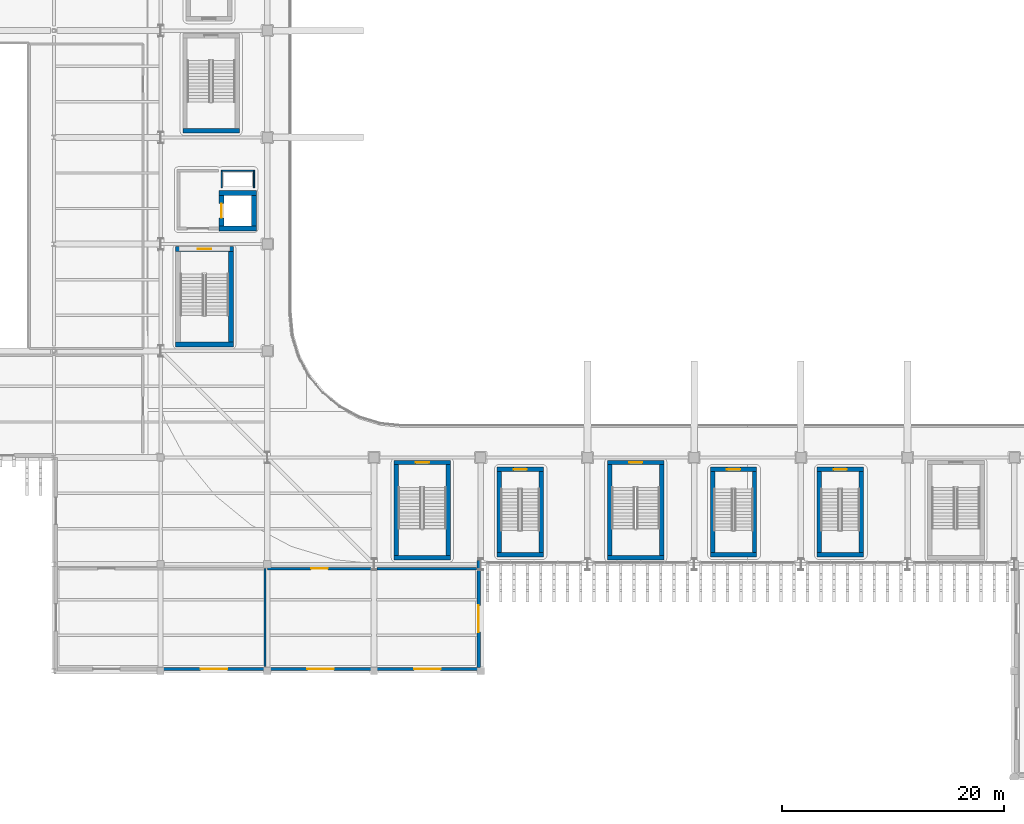
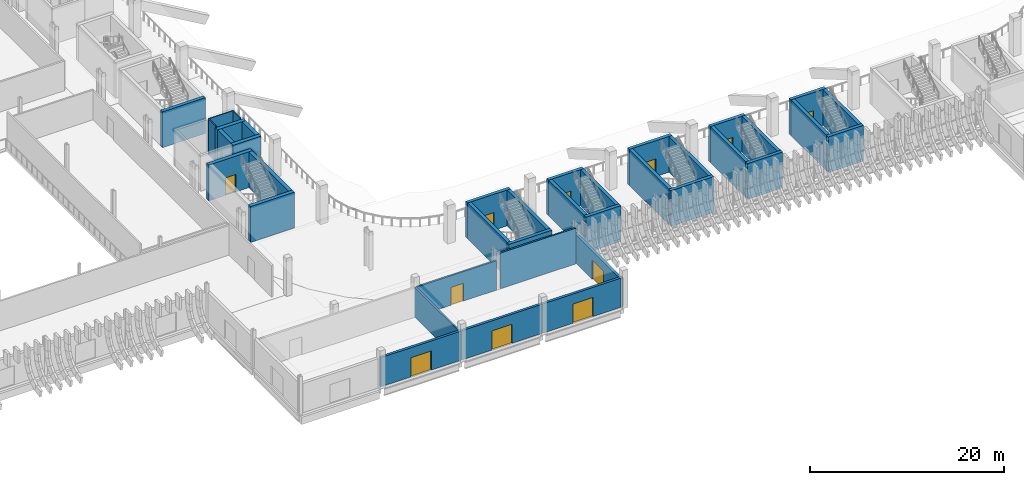
# One storey, part 50 of 100: 38 walls, 12 doors, 12 openings.
"""IFC4 building model written with IfcOpenShell, lengths in metres."""

import ifcopenshell
import ifcopenshell.guid

model = None  # the IFC model being written
_history = None  # IfcOwnerHistory: only IFC2X3 demands one
_inside = {}  # id of a spatial element -> (the spatial element, [elements in it])
_under = {}  # id of a project, library or spatial element -> (it, [spatial elements below it])
_declared = {}  # id of a project -> (the project, [libraries it declares])
_typed = {}  # id of a type object -> (the type object, [elements of that type])
_made_of = {}  # id of a material, layer set ... -> (it, [elements and type objects made of it])


def new_model(schema):
    """Start an empty IFC model of exactly this schema.

    Asked for "IFC4X3", IfcOpenShell would pick the latest addendum, in which some entities
    have other attributes; the version numbers below select the first issue.
    IFC2X3 requires an IfcOwnerHistory on every rooted entity: one is made here for all.
    """
    global model, _history
    if schema == "IFC4X3":
        model = ifcopenshell.file(schema_version=(4, 3, 0, 0))
    else:
        model = ifcopenshell.file(schema=schema)
    _inside.clear()
    _under.clear()
    _declared.clear()
    _typed.clear()
    _made_of.clear()
    _history = None
    if model.schema == "IFC2X3":
        org = make("IfcOrganization", Name="unknown")
        user = make(
            "IfcPersonAndOrganization",
            ThePerson=make("IfcPerson", FamilyName="unknown"),
            TheOrganization=org,
        )
        app = make(
            "IfcApplication",
            ApplicationDeveloper=org,
            Version="unknown",
            ApplicationFullName="unknown",
            ApplicationIdentifier="unknown",
        )
        _history = make(
            "IfcOwnerHistory",
            OwningUser=user,
            OwningApplication=app,
            ChangeAction="ADDED",
            CreationDate=0,
        )
    return model


def make(cls, **values):
    """One entity of the class cls with the attributes given. An attribute that is None is left unset."""
    return model.create_entity(
        cls, **{name: value for name, value in values.items() if value is not None}
    )


def rooted(cls, **values):
    """An entity with a GlobalId (a new one), such as an element, a storey or a relation."""
    return make(cls, GlobalId=ifcopenshell.guid.new(), OwnerHistory=_history, **values)


def si_unit(unit_type, name, prefix=None):
    """IfcSIUnit, for example si_unit("LENGTHUNIT", "METRE", prefix="MILLI")."""
    return make("IfcSIUnit", UnitType=unit_type, Prefix=prefix, Name=name)


def assignment(units):
    """IfcUnitAssignment: the units of a project."""
    return None if units is None else make("IfcUnitAssignment", Units=units)


def point(xyz):
    """IfcCartesianPoint."""
    return None if xyz is None else make("IfcCartesianPoint", Coordinates=xyz)


def direction(xyz):
    """IfcDirection."""
    return None if xyz is None else make("IfcDirection", DirectionRatios=xyz)


def frame(location, z_axis=None, x_axis=None):
    """IfcAxis2Placement3D, a coordinate frame: its origin and axes. An axis left out is left unset."""
    return make(
        "IfcAxis2Placement3D",
        Location=point(location),
        Axis=direction(z_axis),
        RefDirection=direction(x_axis),
    )


def frame_2d(location, x_axis=None):
    """IfcAxis2Placement2D, a coordinate frame in the plane: its origin and x axis."""
    return make(
        "IfcAxis2Placement2D", Location=point(location), RefDirection=direction(x_axis)
    )


def origin():
    """The frame at (0, 0, 0) with its axes left unset."""
    return frame((0.0, 0.0, 0.0))


def place(relative_to, where):
    """IfcLocalPlacement: puts the frame where relative to a parent placement (None: the world)."""
    return make(
        "IfcLocalPlacement", PlacementRelTo=relative_to, RelativePlacement=where
    )


def context(
    kind, dimensions, precision=None, world=None, true_north=None, identifier=None
):
    """IfcGeometricRepresentationContext, for example the 3D "Model" context."""
    return make(
        "IfcGeometricRepresentationContext",
        ContextIdentifier=identifier,
        ContextType=kind,
        CoordinateSpaceDimension=dimensions,
        Precision=precision,
        WorldCoordinateSystem=world,
        TrueNorth=true_north,
    )


def subcontext(parent, identifier, kind, view, scale=None):
    """IfcGeometricRepresentationSubContext, for example "Body" below "Model"."""
    return make(
        "IfcGeometricRepresentationSubContext",
        ContextIdentifier=identifier,
        ContextType=kind,
        ParentContext=parent,
        TargetScale=scale,
        TargetView=view,
    )


def project(units=None, contexts=None):
    """IfcProject with its units and contexts."""
    return rooted(
        "IfcProject",
        Name="project",
        RepresentationContexts=contexts,
        UnitsInContext=assignment(units),
    )


def spatial(cls, under=None, at=None, **own):
    """A site, building, storey or space (cls), placed at a placement, below another one or the project."""
    s = rooted(cls, ObjectPlacement=at, **own)
    if under is not None:
        _under.setdefault(under.id(), (under, []))[1].append(s)
    return s


def profile(cls, at=None, kind="AREA", **sizes):
    """A parametric profile (cls). Its sizes go by their IFC names, for example OverallWidth=200.0."""
    return make(cls, ProfileType=kind, Position=at, **sizes)


def rectangle(**sizes):
    """IfcRectangleProfileDef."""
    return profile("IfcRectangleProfileDef", **sizes)


def extrude(swept, where, along, depth):
    """IfcExtrudedAreaSolid: the profile swept, set in the frame where, extruded along a direction by depth."""
    return make(
        "IfcExtrudedAreaSolid",
        SweptArea=swept,
        Position=where,
        ExtrudedDirection=direction(along),
        Depth=depth,
    )


def shape(context_of_items, identifier, shape_type, items):
    """IfcShapeRepresentation: the items that make up one representation, for example the "Body"."""
    return make(
        "IfcShapeRepresentation",
        ContextOfItems=context_of_items,
        RepresentationIdentifier=identifier,
        RepresentationType=shape_type,
        Items=items,
    )


def material(Name=None, Category=None):
    """IfcMaterial."""
    return make("IfcMaterial", Name=Name, Category=Category)


def layer(
    of_material, thickness, ventilated=None, Name=None, Category=None, Priority=None
):
    """IfcMaterialLayer: one layer of a wall or slab, of a material (None: an air gap)."""
    return make(
        "IfcMaterialLayer",
        Material=of_material,
        LayerThickness=thickness,
        IsVentilated=ventilated,
        Name=Name,
        Category=Category,
        Priority=Priority,
    )


def layer_set(layers, Name=None):
    """IfcMaterialLayerSet."""
    return make("IfcMaterialLayerSet", MaterialLayers=layers, LayerSetName=Name)


def made_of(thing, what):
    """Note that an element or type object is made of a material, layer set ...; save() writes the relation."""
    if what is not None:
        _made_of.setdefault(what.id(), (what, []))[1].append(thing)
    return thing


def type_object(cls, material=None, **own):
    """A type object (cls), such as IfcWallType, which elements share."""
    return made_of(rooted(cls, **own), material)


def element(
    cls,
    number,
    at=None,
    inside=None,
    cuts=None,
    type_object=None,
    material=None,
    context=None,
    identifier="Body",
    shape_type=None,
    held_by="IfcProductDefinitionShape",
    body=None,
    shapes=None,
    **own,
):
    """One element of the class cls, such as IfcWall. Its Tag is "e" and its number.

    at: its placement. inside: the storey or other place that contains it. cuts: it is an
    opening in that element (IfcRelVoidsElement). A single representation is given by context,
    identifier, shape_type and body (its items); several are given by shapes. held_by: the class
    of the entity that holds the representations. save() writes the other relations.
    """
    e = rooted(cls, Tag="e%d" % number, ObjectPlacement=at, **own)
    if body is not None:
        shapes = [shape(context, identifier, shape_type, body)]
    if shapes is not None:
        e.Representation = make(held_by, Representations=shapes)
    if inside is not None:
        _inside.setdefault(inside.id(), (inside, []))[1].append(e)
    if cuts is not None:
        rooted(
            "IfcRelVoidsElement", RelatingBuildingElement=cuts, RelatedOpeningElement=e
        )
    if type_object is not None:
        _typed.setdefault(type_object.id(), (type_object, []))[1].append(e)
    return made_of(e, material)


def fill(opening, filler):
    """IfcRelFillsElement: the door or window that sits in an opening."""
    return rooted(
        "IfcRelFillsElement",
        RelatingOpeningElement=opening,
        RelatedBuildingElement=filler,
    )


def aggregate(whole, parts):
    """IfcRelAggregates: a whole, such as a stair, and the parts it consists of."""
    return rooted("IfcRelAggregates", RelatingObject=whole, RelatedObjects=parts)


def save(model, path):
    """Write the relations noted so far, then the file.

    IfcRelAggregates (storeys below a building ...), IfcRelContainedInSpatialStructure (elements
    in a storey), IfcRelDefinesByType, IfcRelAssociatesMaterial and IfcRelDeclares: one each for
    every whole, place, type object, material and project.
    """
    for whole, parts in _under.values():
        aggregate(whole, parts)
    for where, things in _inside.values():
        rooted(
            "IfcRelContainedInSpatialStructure",
            RelatedElements=things,
            RelatingStructure=where,
        )
    for kind, things in _typed.values():
        rooted("IfcRelDefinesByType", RelatedObjects=things, RelatingType=kind)
    for what, things in _made_of.values():
        rooted("IfcRelAssociatesMaterial", RelatedObjects=things, RelatingMaterial=what)
    for by, libraries in _declared.values():
        rooted("IfcRelDeclares", RelatingContext=by, RelatedDefinitions=libraries)
    model.write(path)


model = new_model("IFC4")

# Units and contexts
model_context = context("Model", 3, precision=1e-05, world=origin(), true_north=direction((0.0, 1.0)))
body_context = subcontext(model_context, "Body", "Model", "MODEL_VIEW")
ifc_project = project(units=[si_unit("LENGTHUNIT", "METRE"), si_unit("AREAUNIT", "SQUARE_METRE"), si_unit("VOLUMEUNIT", "CUBIC_METRE"), si_unit("PLANEANGLEUNIT", "RADIAN"), si_unit("MASSUNIT", "GRAM", prefix="KILO")], contexts=[model_context])

# Site, building, storey
site_placement = place(None, origin())
site = spatial("IfcSite", under=ifc_project, at=site_placement, CompositionType="ELEMENT")
building_placement = place(site_placement, origin())
building = spatial("IfcBuilding", under=site, at=building_placement, Name="Caelomonte Colonnade Arena", CompositionType="ELEMENT")
storey_placement = place(building_placement, origin())
storey = spatial("IfcBuildingStorey", under=building, at=storey_placement, Name="L00", CompositionType="ELEMENT", Elevation=0.0)

# Wall, opening, door
ifc_material_1 = material(Name="Precast concrete C40/50", Category="concrete")
ifc_layer_1 = layer(ifc_material_1, 0.2900390625)
ifc_layer_set_1 = layer_set([ifc_layer_1], Name="Precast concrete C40/50")
wall_type_1 = type_object("IfcWallType", Name="ENV-WL-EXT29", PredefinedType="SOLIDWALL", material=ifc_layer_set_1)
wall_1_placement = place(storey_placement, frame((57.60009765625, 9.780029296875, 0.0), z_axis=(0.0, 0.0, 1.0), x_axis=(1.0, 0.0, 0.0)))
wall_1 = element("IfcWall", 1, at=wall_1_placement, inside=storey, type_object=wall_type_1, Name="L00 exterior wall EW-L00-0117", PredefinedType="SOLIDWALL", context=body_context, shape_type="SweptSolid", body=[
    extrude(rectangle(XDim=9.599853515625, YDim=0.2900390625, at=frame_2d((4.7998046875, 0.0))), origin(), (0.0, 0.0, 1.0), 3.664306640625),
])
opening_1_placement = place(wall_1_placement, frame((6.0, 0.0, 0.0), z_axis=(0.0, 0.0, 1.0), x_axis=(-1.0, 0.0, 0.0)))
opening_1 = element("IfcOpeningElement", 2, at=opening_1_placement, cuts=wall_1, Name="Opening G8", PredefinedType="OPENING", context=body_context, shape_type="SweptSolid", body=[
    extrude(rectangle(XDim=2.39990234375, YDim=2.39990234375, at=frame_2d((1.199951171875, 1.199951171875))), frame((0.0, 0.155029296875, 0.0), z_axis=(0.0, -1.0, 0.0), x_axis=(1.0, 0.0, 0.0)), (0.0, 0.0, 1.0), 0.31005859375),
])
ifc_material_2 = material(Name="Painted galvanized hollow metal and glass", Category="glass")
door_type_1 = type_object("IfcDoorType", Name="ENV-DR-G1", OperationType="DOUBLE_DOOR_SINGLE_SWING", PredefinedType="DOOR", material=ifc_material_2)
door_1_placement = place(opening_1_placement, origin())
door_1 = element("IfcDoor", 3, at=door_1_placement, inside=storey, type_object=door_type_1, Name="Pedestrian exit gate G8", OperationType="DOUBLE_DOOR_SINGLE_SWING", OverallHeight=2.39990234375, OverallWidth=2.39990234375, PredefinedType="DOOR", context=body_context, shape_type="SweptSolid", body=[
    extrude(rectangle(XDim=2.39990234375, YDim=2.39990234375, at=frame_2d((1.199951171875, 1.199951171875))), frame((0.0, 0.02490234375, 0.0), z_axis=(0.0, -1.0, 0.0), x_axis=(1.0, 0.0, 0.0)), (0.0, 0.0, 1.0), 0.050048828125),
])
fill(opening_1, door_1)

wall_2_placement = place(storey_placement, frame((67.199951171875, 9.780029296875, 0.0), z_axis=(0.0, 0.0, 1.0), x_axis=(1.0, 0.0, 0.0)))
wall_2 = element("IfcWall", 4, at=wall_2_placement, inside=storey, type_object=wall_type_1, Name="L00 exterior wall EW-L00-0118", PredefinedType="SOLIDWALL", context=body_context, shape_type="SweptSolid", body=[
    extrude(rectangle(XDim=9.60009765625, YDim=0.2900390625, at=frame_2d((4.800048828125, 0.0))), origin(), (0.0, 0.0, 1.0), 3.664306640625),
])
opening_2_placement = place(wall_2_placement, frame((6.0, 0.0, 0.0), z_axis=(0.0, 0.0, 1.0), x_axis=(-1.0, 0.0, 0.0)))
opening_2 = element("IfcOpeningElement", 5, at=opening_2_placement, cuts=wall_2, Name="Opening G9", PredefinedType="OPENING", context=body_context, shape_type="SweptSolid", body=[
    extrude(rectangle(XDim=2.39990234375, YDim=2.39990234375, at=frame_2d((1.199951171875, 1.199951171875))), frame((0.0, 0.155029296875, 0.0), z_axis=(0.0, -1.0, 0.0), x_axis=(1.0, 0.0, 0.0)), (0.0, 0.0, 1.0), 0.31005859375),
])
door_2_placement = place(opening_2_placement, origin())
door_2 = element("IfcDoor", 6, at=door_2_placement, inside=storey, type_object=door_type_1, Name="Pedestrian exit gate G9", OperationType="DOUBLE_DOOR_SINGLE_SWING", OverallHeight=2.39990234375, OverallWidth=2.39990234375, PredefinedType="DOOR", context=body_context, shape_type="SweptSolid", body=[
    extrude(rectangle(XDim=2.39990234375, YDim=2.39990234375, at=frame_2d((1.199951171875, 1.199951171875))), frame((0.0, 0.02490234375, 0.0), z_axis=(0.0, -1.0, 0.0), x_axis=(1.0, 0.0, 0.0)), (0.0, 0.0, 1.0), 0.050048828125),
])
fill(opening_2, door_2)

wall_3_placement = place(storey_placement, frame((76.800048828125, 9.780029296875, 0.0), z_axis=(0.0, 0.0, 1.0), x_axis=(1.0, 0.0, 0.0)))
wall_3 = element("IfcWall", 7, at=wall_3_placement, inside=storey, type_object=wall_type_1, Name="L00 exterior wall EW-L00-0119", PredefinedType="SOLIDWALL", context=body_context, shape_type="SweptSolid", body=[
    extrude(rectangle(XDim=9.599853515625, YDim=0.2900390625, at=frame_2d((4.7998046875, 0.0))), origin(), (0.0, 0.0, 1.0), 3.664306640625),
])
opening_3_placement = place(wall_3_placement, frame((6.0, 0.0, 0.0), z_axis=(0.0, 0.0, 1.0), x_axis=(-1.0, 0.0, 0.0)))
opening_3 = element("IfcOpeningElement", 8, at=opening_3_placement, cuts=wall_3, Name="Opening G10", PredefinedType="OPENING", context=body_context, shape_type="SweptSolid", body=[
    extrude(rectangle(XDim=2.39990234375, YDim=2.39990234375, at=frame_2d((1.199951171875, 1.199951171875))), frame((0.0, 0.155029296875, 0.0), z_axis=(0.0, -1.0, 0.0), x_axis=(1.0, 0.0, 0.0)), (0.0, 0.0, 1.0), 0.31005859375),
])
door_3_placement = place(opening_3_placement, origin())
door_3 = element("IfcDoor", 9, at=door_3_placement, inside=storey, type_object=door_type_1, Name="Pedestrian exit gate G10", OperationType="DOUBLE_DOOR_SINGLE_SWING", OverallHeight=2.39990234375, OverallWidth=2.39990234375, PredefinedType="DOOR", context=body_context, shape_type="SweptSolid", body=[
    extrude(rectangle(XDim=2.39990234375, YDim=2.39990234375, at=frame_2d((1.199951171875, 1.199951171875))), frame((0.0, 0.02490234375, 0.0), z_axis=(0.0, -1.0, 0.0), x_axis=(1.0, 0.0, 0.0)), (0.0, 0.0, 1.0), 0.050048828125),
])
fill(opening_3, door_3)

wall_4_placement = place(storey_placement, frame((86.219970703125, 9.60009765625, 0.0), z_axis=(0.0, 0.0, 1.0), x_axis=(0.0, 1.0, 0.0)))
wall_4 = element("IfcWall", 10, at=wall_4_placement, inside=storey, type_object=wall_type_1, Name="L00 exterior wall EW-L00-0120", PredefinedType="SOLIDWALL", context=body_context, shape_type="SweptSolid", body=[
    extrude(rectangle(XDim=9.949951171875, YDim=0.2900390625, at=frame_2d((4.97509765625, 0.0))), origin(), (0.0, 0.0, 1.0), 3.572998046875),
])
opening_4_placement = place(wall_4_placement, frame((5.90185546875, 0.0, 0.0), z_axis=(0.0, 0.0, 1.0), x_axis=(-1.0, 0.0, 0.0)))
opening_4 = element("IfcOpeningElement", 11, at=opening_4_placement, cuts=wall_4, Name="Opening G11", PredefinedType="OPENING", context=body_context, shape_type="SweptSolid", body=[
    extrude(rectangle(XDim=2.39990234375, YDim=2.39990234375, at=frame_2d((1.199951171875, 1.199951171875))), frame((0.0, 0.155029296875, 0.0), z_axis=(0.0, -1.0, 0.0), x_axis=(1.0, 0.0, 0.0)), (0.0, 0.0, 1.0), 0.31005859375),
])
door_4_placement = place(opening_4_placement, origin())
door_4 = element("IfcDoor", 12, at=door_4_placement, inside=storey, type_object=door_type_1, Name="Pedestrian exit gate G11", OperationType="DOUBLE_DOOR_SINGLE_SWING", OverallHeight=2.39990234375, OverallWidth=2.39990234375, PredefinedType="DOOR", context=body_context, shape_type="SweptSolid", body=[
    extrude(rectangle(XDim=2.39990234375, YDim=2.39990234375, at=frame_2d((1.199951171875, 1.199951171875))), frame((0.0, 0.02490234375, 0.0), z_axis=(0.0, -1.0, 0.0), x_axis=(1.0, 0.0, 0.0)), (0.0, 0.0, 1.0), 0.050048828125),
])
fill(opening_4, door_4)

# Walls
ifc_material_3 = material(Name="Service shaft lining partition")
ifc_layer_2 = layer(ifc_material_3, 0.10009765625)
ifc_layer_set_2 = layer_set([ifc_layer_2], Name="Service shaft lining partition")
wall_type_2 = type_object("IfcWallType", Name="INT-WL-PT10", PredefinedType="PARTITIONING", material=ifc_layer_set_2)
wall_5_placement = place(storey_placement, frame((66.050048828125, 54.60009765625, 0.0), z_axis=(0.0, 0.0, 1.0), x_axis=(-1.0, 0.0, 0.0)))
element("IfcWall", 13, at=wall_5_placement, inside=storey, type_object=wall_type_2, Name="FW-C1-RS L00 north enclosure wall", PredefinedType="PARTITIONING", context=body_context, shape_type="SweptSolid", body=[
    extrude(rectangle(XDim=3.0, YDim=0.10009765625, at=frame_2d((1.5, 0.0))), origin(), (0.0, 0.0, 1.0), 4.5),
])
for number, where, z_axis, x_axis, name in (
    (14, (63.10009765625, 54.550048828125, 0.0), (0.0, 0.0, 1.0), (0.0, -1.0, 0.0), "FW-C1-RS L00 west enclosure wall"),
    (15, (66.0, 53.050048828125, 0.0), (0.0, 0.0, 1.0), (0.0, 1.0, 0.0), "FW-C1-RS L00 east enclosure wall"),
):
    element("IfcWall", number, at=place(storey_placement, frame(where, z_axis=z_axis, x_axis=x_axis)), inside=storey, type_object=wall_type_2, Name=name, PredefinedType="PARTITIONING", context=body_context, shape_type="SweptSolid", body=[
        extrude(rectangle(XDim=1.5, YDim=0.10009765625, at=frame_2d((0.75, 0.0))), origin(), (0.0, 0.0, 1.0), 4.5),
    ])
ifc_material_4 = material(Name="Fire-rated gypsum stud partition")
ifc_layer_3 = layer(ifc_material_4, 0.199951171875)
ifc_layer_set_3 = layer_set([ifc_layer_3], Name="Fire-rated gypsum stud partition")
wall_type_3 = type_object("IfcWallType", Name="INT-WL-PT20", PredefinedType="PARTITIONING", material=ifc_layer_set_3)
wall_6_placement = place(storey_placement, frame((67.0, 18.800048828125, 0.0), z_axis=(0.0, 0.0, 1.0), x_axis=(0.0, -1.0, 0.0)))
element("IfcWall", 16, at=wall_6_placement, inside=storey, type_object=wall_type_3, Name="L00 Arena Cafe partition 94", PredefinedType="PARTITIONING", context=body_context, shape_type="SweptSolid", body=[
    extrude(rectangle(XDim=8.800048828125, YDim=0.199951171875, at=frame_2d((4.39990234375, 0.0))), origin(), (0.0, 0.0, 1.0), 3.699951171875),
])
wall_7_placement = place(storey_placement, frame((77.048583984375, 18.800048828125, 0.0), z_axis=(0.0, 0.0, 1.0), x_axis=(1.0, 0.0, 0.0)))
element("IfcWall", 17, at=wall_7_placement, inside=storey, type_object=wall_type_3, Name="L00 Team Shop partition 95", PredefinedType="PARTITIONING", context=body_context, shape_type="SweptSolid", body=[
    extrude(rectangle(XDim=8.951416015625, YDim=0.199951171875, at=frame_2d((4.4755859375, 0.0))), origin(), (0.0, 0.0, 1.0), 4.5),
])

# Wall, opening, door
wall_8_placement = place(storey_placement, frame((67.199951171875, 18.800048828125, 0.0), z_axis=(0.0, 0.0, 1.0), x_axis=(1.0, 0.0, 0.0)))
wall_8 = element("IfcWall", 18, at=wall_8_placement, inside=storey, type_object=wall_type_3, Name="L00 Team Shop partition 96", PredefinedType="PARTITIONING", context=body_context, shape_type="SweptSolid", body=[
    extrude(rectangle(XDim=9.3515625, YDim=0.199951171875, at=frame_2d((4.67578125, 0.0))), origin(), (0.0, 0.0, 1.0), 3.699951171875),
])
opening_5_placement = place(wall_8_placement, frame((3.94921875, 0.0, 0.0), z_axis=(0.0, 0.0, 1.0), x_axis=(1.0, 0.0, 0.0)))
opening_5 = element("IfcOpeningElement", 19, at=opening_5_placement, cuts=wall_8, Name="Opening D-L00-030", PredefinedType="OPENING", context=body_context, shape_type="SweptSolid", body=[
    extrude(rectangle(XDim=1.5, YDim=2.25, at=frame_2d((0.75, 1.125))), frame((0.0, 0.10986328125, 0.0), z_axis=(0.0, -1.0, 0.0), x_axis=(1.0, 0.0, 0.0)), (0.0, 0.0, 1.0), 0.219970703125),
])
ifc_material_5 = material(Name="Hardwood double club lounge door", Category="wood")
door_type_2 = type_object("IfcDoorType", Name="INT-DR-SU2", OperationType="DOUBLE_DOOR_SINGLE_SWING", PredefinedType="DOOR", material=ifc_material_5)
door_5_placement = place(opening_5_placement, origin())
door_5 = element("IfcDoor", 20, at=door_5_placement, inside=storey, type_object=door_type_2, Name="L00 Team Shop door D-L00-030", OperationType="DOUBLE_DOOR_SINGLE_SWING", OverallHeight=2.25, OverallWidth=1.5, PredefinedType="DOOR", context=body_context, shape_type="SweptSolid", body=[
    extrude(rectangle(XDim=1.5, YDim=2.25, at=frame_2d((0.75, 1.125))), frame((0.0, 0.02490234375, 0.0), z_axis=(0.0, -1.0, 0.0), x_axis=(1.0, 0.0, 0.0)), (0.0, 0.0, 1.0), 0.050048828125),
])
fill(opening_5, door_5)

# Walls
ifc_material_6 = material(Name="Concrete C50/60", Category="concrete")
ifc_layer_4 = layer(ifc_material_6, 0.39990234375)
ifc_layer_set_4 = layer_set([ifc_layer_4], Name="Concrete C50/60")
wall_type_4 = type_object("IfcWallType", Name="INT-WL-SH40", PredefinedType="SHEAR", material=ifc_layer_set_4)
for number, where, z_axis, x_axis, name in (
    (21, (59.60009765625, 58.199951171875, 0.0), (0.0, 0.0, 1.0), (1.0, 0.0, 0.0), "CW-ST-09 L00 south enclosure wall"),
    (22, (78.60009765625, 19.800048828125, 0.0), (0.0, 0.0, 1.0), (1.0, 0.0, 0.0), "CW-ST-11 L00 south enclosure wall"),
):
    element("IfcWall", number, at=place(storey_placement, frame(where, z_axis=z_axis, x_axis=x_axis)), inside=storey, type_object=wall_type_4, Name=name, PredefinedType="SHEAR", context=body_context, shape_type="SweptSolid", body=[
        extrude(rectangle(XDim=5.099853515625, YDim=0.39990234375, at=frame_2d((2.5498046875, 0.0))), origin(), (0.0, 0.0, 1.0), 4.5),
    ])

# Wall, opening, door
wall_9_placement = place(storey_placement, frame((83.699951171875, 28.35009765625, 0.0), z_axis=(0.0, 0.0, 1.0), x_axis=(-1.0, 0.0, 0.0)))
wall_9 = element("IfcWall", 23, at=wall_9_placement, inside=storey, type_object=wall_type_4, Name="CW-ST-11 L00 north enclosure wall", PredefinedType="SHEAR", context=body_context, shape_type="SweptSolid", body=[
    extrude(rectangle(XDim=5.099853515625, YDim=0.39990234375, at=frame_2d((2.5498046875, 0.0))), origin(), (0.0, 0.0, 1.0), 4.5),
])
opening_6_placement = place(wall_9_placement, frame((3.14990234375, 0.0, 0.0), z_axis=(0.0, 0.0, 1.0), x_axis=(-1.0, 0.0, 0.0)))
opening_6 = element("IfcOpeningElement", 24, at=opening_6_placement, cuts=wall_9, Name="Opening FD-1", PredefinedType="OPENING", context=body_context, shape_type="SweptSolid", body=[
    extrude(rectangle(XDim=1.199951171875, YDim=2.199951171875, at=frame_2d((0.60009765625, 1.10009765625))), frame((0.0, 0.2099609375, 0.0), z_axis=(0.0, -1.0, 0.0), x_axis=(1.0, 0.0, 0.0)), (0.0, 0.0, 1.0), 0.419921875),
])
ifc_material_7 = material(Name="Fire-rated steel door", Category="steel")
door_type_3 = type_object("IfcDoorType", Name="INT-DR-FD90A", OperationType="NOTDEFINED", PredefinedType="DOOR", material=ifc_material_7)
door_6_placement = place(opening_6_placement, origin())
door_6 = element("IfcDoor", 25, at=door_6_placement, inside=storey, type_object=door_type_3, Name="Protected exit stair ST-11 L00 fire door", OperationType="SINGLE_SWING_LEFT", OverallHeight=2.199951171875, OverallWidth=1.199951171875, PredefinedType="DOOR", context=body_context, shape_type="SweptSolid", body=[
    extrude(rectangle(XDim=1.199951171875, YDim=2.199951171875, at=frame_2d((0.60009765625, 1.10009765625))), frame((0.0, 0.02490234375, 0.0), z_axis=(0.0, -1.0, 0.0), x_axis=(1.0, 0.0, 0.0)), (0.0, 0.0, 1.0), 0.050048828125),
])
fill(opening_6, door_6)

# Walls
for number, where, z_axis, x_axis, name in (
    (26, (78.800048828125, 28.14990234375, 0.0), (0.0, 0.0, 1.0), (0.0, -1.0, 0.0), "CW-ST-11 L00 west enclosure wall"),
    (27, (83.5, 20.0, 0.0), (0.0, 0.0, 1.0), (0.0, 1.0, 0.0), "CW-ST-11 L00 east enclosure wall"),
):
    element("IfcWall", number, at=place(storey_placement, frame(where, z_axis=z_axis, x_axis=x_axis)), inside=storey, type_object=wall_type_4, Name=name, PredefinedType="SHEAR", context=body_context, shape_type="SweptSolid", body=[
        extrude(rectangle(XDim=8.14990234375, YDim=0.39990234375, at=frame_2d((4.074951171875, 0.0))), origin(), (0.0, 0.0, 1.0), 4.5),
    ])
wall_10_placement = place(storey_placement, frame((97.800048828125, 19.800048828125, 0.0), z_axis=(0.0, 0.0, 1.0), x_axis=(1.0, 0.0, 0.0)))
element("IfcWall", 28, at=wall_10_placement, inside=storey, type_object=wall_type_4, Name="CW-ST-12 L00 south enclosure wall", PredefinedType="SHEAR", context=body_context, shape_type="SweptSolid", body=[
    extrude(rectangle(XDim=5.099853515625, YDim=0.39990234375, at=frame_2d((2.5498046875, 0.0))), origin(), (0.0, 0.0, 1.0), 4.5),
])

# Wall, opening, door
wall_11_placement = place(storey_placement, frame((102.89990234375, 28.35009765625, 0.0), z_axis=(0.0, 0.0, 1.0), x_axis=(-1.0, 0.0, 0.0)))
wall_11 = element("IfcWall", 29, at=wall_11_placement, inside=storey, type_object=wall_type_4, Name="CW-ST-12 L00 north enclosure wall", PredefinedType="SHEAR", context=body_context, shape_type="SweptSolid", body=[
    extrude(rectangle(XDim=5.099853515625, YDim=0.39990234375, at=frame_2d((2.5498046875, 0.0))), origin(), (0.0, 0.0, 1.0), 4.5),
])
opening_7_placement = place(wall_11_placement, frame((3.14990234375, 0.0, 0.0), z_axis=(0.0, 0.0, 1.0), x_axis=(-1.0, 0.0, 0.0)))
opening_7 = element("IfcOpeningElement", 30, at=opening_7_placement, cuts=wall_11, Name="Opening FD-1", PredefinedType="OPENING", context=body_context, shape_type="SweptSolid", body=[
    extrude(rectangle(XDim=1.199951171875, YDim=2.199951171875, at=frame_2d((0.60009765625, 1.10009765625))), frame((0.0, 0.2099609375, 0.0), z_axis=(0.0, -1.0, 0.0), x_axis=(1.0, 0.0, 0.0)), (0.0, 0.0, 1.0), 0.419921875),
])
door_7_placement = place(opening_7_placement, origin())
door_7 = element("IfcDoor", 31, at=door_7_placement, inside=storey, type_object=door_type_3, Name="Protected exit stair ST-12 L00 fire door", OperationType="SINGLE_SWING_RIGHT", OverallHeight=2.199951171875, OverallWidth=1.199951171875, PredefinedType="DOOR", context=body_context, shape_type="SweptSolid", body=[
    extrude(rectangle(XDim=1.199951171875, YDim=2.199951171875, at=frame_2d((0.60009765625, 1.10009765625))), frame((0.0, 0.02490234375, 0.0), z_axis=(0.0, -1.0, 0.0), x_axis=(1.0, 0.0, 0.0)), (0.0, 0.0, 1.0), 0.050048828125),
])
fill(opening_7, door_7)

# Walls
for number, where, z_axis, x_axis, name in (
    (32, (98.0, 28.14990234375, 0.0), (0.0, 0.0, 1.0), (0.0, -1.0, 0.0), "CW-ST-12 L00 west enclosure wall"),
    (33, (102.699951171875, 20.0, 0.0), (0.0, 0.0, 1.0), (0.0, 1.0, 0.0), "CW-ST-12 L00 east enclosure wall"),
):
    element("IfcWall", number, at=place(storey_placement, frame(where, z_axis=z_axis, x_axis=x_axis)), inside=storey, type_object=wall_type_4, Name=name, PredefinedType="SHEAR", context=body_context, shape_type="SweptSolid", body=[
        extrude(rectangle(XDim=8.14990234375, YDim=0.39990234375, at=frame_2d((4.074951171875, 0.0))), origin(), (0.0, 0.0, 1.0), 4.5),
    ])
wall_12_placement = place(storey_placement, frame((87.8701171875, 20.070068359375, 0.0), z_axis=(0.0, 0.0, 1.0), x_axis=(1.0, 0.0, 0.0)))
element("IfcWall", 34, at=wall_12_placement, inside=storey, type_object=wall_type_4, Name="CW-ST-V01 L00 south enclosure wall", PredefinedType="SHEAR", context=body_context, shape_type="SweptSolid", body=[
    extrude(rectangle(XDim=4.159912109375, YDim=0.39990234375, at=frame_2d((2.080078125, 0.0))), origin(), (0.0, 0.0, 1.0), 4.5),
])

# Wall, opening, door
wall_13_placement = place(storey_placement, frame((92.030029296875, 27.72998046875, 0.0), z_axis=(0.0, 0.0, 1.0), x_axis=(-1.0, 0.0, 0.0)))
wall_13 = element("IfcWall", 35, at=wall_13_placement, inside=storey, type_object=wall_type_4, Name="CW-ST-V01 L00 north enclosure wall", PredefinedType="SHEAR", context=body_context, shape_type="SweptSolid", body=[
    extrude(rectangle(XDim=4.159912109375, YDim=0.39990234375, at=frame_2d((2.080078125, 0.0))), origin(), (0.0, 0.0, 1.0), 4.5),
])
opening_8_placement = place(wall_13_placement, frame((2.679931640625, 0.0, 0.0), z_axis=(0.0, 0.0, 1.0), x_axis=(-1.0, 0.0, 0.0)))
opening_8 = element("IfcOpeningElement", 36, at=opening_8_placement, cuts=wall_13, Name="Opening FD-1", PredefinedType="OPENING", context=body_context, shape_type="SweptSolid", body=[
    extrude(rectangle(XDim=1.199951171875, YDim=2.199951171875, at=frame_2d((0.60009765625, 1.10009765625))), frame((0.0, 0.2099609375, 0.0), z_axis=(0.0, -1.0, 0.0), x_axis=(1.0, 0.0, 0.0)), (0.0, 0.0, 1.0), 0.419921875),
])
door_8_placement = place(opening_8_placement, origin())
door_8 = element("IfcDoor", 37, at=door_8_placement, inside=storey, type_object=door_type_3, Name="Vomitory VOM-01 stair ST-V01 L00 portal door", OperationType="SINGLE_SWING_RIGHT", OverallHeight=2.199951171875, OverallWidth=1.199951171875, PredefinedType="DOOR", context=body_context, shape_type="SweptSolid", body=[
    extrude(rectangle(XDim=1.199951171875, YDim=2.199951171875, at=frame_2d((0.60009765625, 1.10009765625))), frame((0.0, 0.02490234375, 0.0), z_axis=(0.0, -1.0, 0.0), x_axis=(1.0, 0.0, 0.0)), (0.0, 0.0, 1.0), 0.050048828125),
])
fill(opening_8, door_8)

# Walls
for number, where, z_axis, x_axis, name in (
    (38, (88.070068359375, 27.530029296875, 0.0), (0.0, 0.0, 1.0), (0.0, -1.0, 0.0), "CW-ST-V01 L00 west enclosure wall"),
    (39, (91.830078125, 20.27001953125, 0.0), (0.0, 0.0, 1.0), (0.0, 1.0, 0.0), "CW-ST-V01 L00 east enclosure wall"),
):
    element("IfcWall", number, at=place(storey_placement, frame(where, z_axis=z_axis, x_axis=x_axis)), inside=storey, type_object=wall_type_4, Name=name, PredefinedType="SHEAR", context=body_context, shape_type="SweptSolid", body=[
        extrude(rectangle(XDim=7.260009765625, YDim=0.39990234375, at=frame_2d((3.6298828125, 0.0))), origin(), (0.0, 0.0, 1.0), 4.5),
    ])
wall_14_placement = place(storey_placement, frame((107.070068359375, 20.070068359375, 0.0), z_axis=(0.0, 0.0, 1.0), x_axis=(1.0, 0.0, 0.0)))
element("IfcWall", 40, at=wall_14_placement, inside=storey, type_object=wall_type_4, Name="CW-ST-V02 L00 south enclosure wall", PredefinedType="SHEAR", context=body_context, shape_type="SweptSolid", body=[
    extrude(rectangle(XDim=4.159912109375, YDim=0.39990234375, at=frame_2d((2.080078125, 0.0))), origin(), (0.0, 0.0, 1.0), 4.5),
])

# Wall, opening, door
wall_15_placement = place(storey_placement, frame((111.22998046875, 27.72998046875, 0.0), z_axis=(0.0, 0.0, 1.0), x_axis=(-1.0, 0.0, 0.0)))
wall_15 = element("IfcWall", 41, at=wall_15_placement, inside=storey, type_object=wall_type_4, Name="CW-ST-V02 L00 north enclosure wall", PredefinedType="SHEAR", context=body_context, shape_type="SweptSolid", body=[
    extrude(rectangle(XDim=4.159912109375, YDim=0.39990234375, at=frame_2d((2.080078125, 0.0))), origin(), (0.0, 0.0, 1.0), 4.5),
])
opening_9_placement = place(wall_15_placement, frame((2.679931640625, 0.0, 0.0), z_axis=(0.0, 0.0, 1.0), x_axis=(-1.0, 0.0, 0.0)))
opening_9 = element("IfcOpeningElement", 42, at=opening_9_placement, cuts=wall_15, Name="Opening FD-1", PredefinedType="OPENING", context=body_context, shape_type="SweptSolid", body=[
    extrude(rectangle(XDim=1.199951171875, YDim=2.199951171875, at=frame_2d((0.60009765625, 1.10009765625))), frame((0.0, 0.2099609375, 0.0), z_axis=(0.0, -1.0, 0.0), x_axis=(1.0, 0.0, 0.0)), (0.0, 0.0, 1.0), 0.419921875),
])
door_9_placement = place(opening_9_placement, origin())
door_9 = element("IfcDoor", 43, at=door_9_placement, inside=storey, type_object=door_type_3, Name="Vomitory VOM-02 stair ST-V02 L00 portal door", OperationType="SINGLE_SWING_RIGHT", OverallHeight=2.199951171875, OverallWidth=1.199951171875, PredefinedType="DOOR", context=body_context, shape_type="SweptSolid", body=[
    extrude(rectangle(XDim=1.199951171875, YDim=2.199951171875, at=frame_2d((0.60009765625, 1.10009765625))), frame((0.0, 0.02490234375, 0.0), z_axis=(0.0, -1.0, 0.0), x_axis=(1.0, 0.0, 0.0)), (0.0, 0.0, 1.0), 0.050048828125),
])
fill(opening_9, door_9)

# Walls
for number, where, z_axis, x_axis, name in (
    (44, (107.27001953125, 27.530029296875, 0.0), (0.0, 0.0, 1.0), (0.0, -1.0, 0.0), "CW-ST-V02 L00 west enclosure wall"),
    (45, (111.030029296875, 20.27001953125, 0.0), (0.0, 0.0, 1.0), (0.0, 1.0, 0.0), "CW-ST-V02 L00 east enclosure wall"),
):
    element("IfcWall", number, at=place(storey_placement, frame(where, z_axis=z_axis, x_axis=x_axis)), inside=storey, type_object=wall_type_4, Name=name, PredefinedType="SHEAR", context=body_context, shape_type="SweptSolid", body=[
        extrude(rectangle(XDim=7.260009765625, YDim=0.39990234375, at=frame_2d((3.6298828125, 0.0))), origin(), (0.0, 0.0, 1.0), 4.5),
    ])
wall_16_placement = place(storey_placement, frame((116.669921875, 20.070068359375, 0.0), z_axis=(0.0, 0.0, 1.0), x_axis=(1.0, 0.0, 0.0)))
element("IfcWall", 46, at=wall_16_placement, inside=storey, type_object=wall_type_4, Name="CW-ST-V03 L00 south enclosure wall", PredefinedType="SHEAR", context=body_context, shape_type="SweptSolid", body=[
    extrude(rectangle(XDim=4.16015625, YDim=0.39990234375, at=frame_2d((2.080078125, 0.0))), origin(), (0.0, 0.0, 1.0), 4.5),
])

# Wall, opening, door
wall_17_placement = place(storey_placement, frame((120.830078125, 27.72998046875, 0.0), z_axis=(0.0, 0.0, 1.0), x_axis=(-1.0, 0.0, 0.0)))
wall_17 = element("IfcWall", 47, at=wall_17_placement, inside=storey, type_object=wall_type_4, Name="CW-ST-V03 L00 north enclosure wall", PredefinedType="SHEAR", context=body_context, shape_type="SweptSolid", body=[
    extrude(rectangle(XDim=4.16015625, YDim=0.39990234375, at=frame_2d((2.080078125, 0.0))), origin(), (0.0, 0.0, 1.0), 4.5),
])
opening_10_placement = place(wall_17_placement, frame((2.679931640625, 0.0, 0.0), z_axis=(0.0, 0.0, 1.0), x_axis=(-1.0, 0.0, 0.0)))
opening_10 = element("IfcOpeningElement", 48, at=opening_10_placement, cuts=wall_17, Name="Opening FD-1", PredefinedType="OPENING", context=body_context, shape_type="SweptSolid", body=[
    extrude(rectangle(XDim=1.199951171875, YDim=2.199951171875, at=frame_2d((0.60009765625, 1.10009765625))), frame((0.0, 0.2099609375, 0.0), z_axis=(0.0, -1.0, 0.0), x_axis=(1.0, 0.0, 0.0)), (0.0, 0.0, 1.0), 0.419921875),
])
door_10_placement = place(opening_10_placement, origin())
door_10 = element("IfcDoor", 49, at=door_10_placement, inside=storey, type_object=door_type_3, Name="Vomitory VOM-03 stair ST-V03 L00 portal door", OperationType="SINGLE_SWING_RIGHT", OverallHeight=2.199951171875, OverallWidth=1.199951171875, PredefinedType="DOOR", context=body_context, shape_type="SweptSolid", body=[
    extrude(rectangle(XDim=1.199951171875, YDim=2.199951171875, at=frame_2d((0.60009765625, 1.10009765625))), frame((0.0, 0.02490234375, 0.0), z_axis=(0.0, -1.0, 0.0), x_axis=(1.0, 0.0, 0.0)), (0.0, 0.0, 1.0), 0.050048828125),
])
fill(opening_10, door_10)

# Walls
for number, where, z_axis, x_axis, name in (
    (50, (116.8701171875, 27.530029296875, 0.0), (0.0, 0.0, 1.0), (0.0, -1.0, 0.0), "CW-ST-V03 L00 west enclosure wall"),
    (51, (120.6298828125, 20.27001953125, 0.0), (0.0, 0.0, 1.0), (0.0, 1.0, 0.0), "CW-ST-V03 L00 east enclosure wall"),
):
    element("IfcWall", number, at=place(storey_placement, frame(where, z_axis=z_axis, x_axis=x_axis)), inside=storey, type_object=wall_type_4, Name=name, PredefinedType="SHEAR", context=body_context, shape_type="SweptSolid", body=[
        extrude(rectangle(XDim=7.260009765625, YDim=0.39990234375, at=frame_2d((3.6298828125, 0.0))), origin(), (0.0, 0.0, 1.0), 4.5),
    ])
ifc_layer_5 = layer(ifc_material_6, 0.449951171875)
ifc_layer_set_5 = layer_set([ifc_layer_5], Name="Concrete C50/60")
wall_type_5 = type_object("IfcWallType", Name="INT-WL-SH45", PredefinedType="SHEAR", material=ifc_layer_set_5)
wall_18_placement = place(storey_placement, frame((58.949951171875, 38.97509765625, 0.0), z_axis=(0.0, 0.0, 1.0), x_axis=(1.0, 0.0, 0.0)))
element("IfcWall", 52, at=wall_18_placement, inside=storey, type_object=wall_type_5, Name="CW-C1-ST L00 south enclosure wall", PredefinedType="SHEAR", context=body_context, shape_type="SweptSolid", body=[
    extrude(rectangle(XDim=5.199951171875, YDim=0.449951171875, at=frame_2d((2.60009765625, 0.0))), origin(), (0.0, 0.0, 1.0), 4.5),
])

# Wall, opening, door
wall_19_placement = place(storey_placement, frame((64.14990234375, 47.574951171875, 0.0), z_axis=(0.0, 0.0, 1.0), x_axis=(-1.0, 0.0, 0.0)))
wall_19 = element("IfcWall", 53, at=wall_19_placement, inside=storey, type_object=wall_type_5, Name="CW-C1-ST L00 north enclosure wall", PredefinedType="SHEAR", context=body_context, shape_type="SweptSolid", body=[
    extrude(rectangle(XDim=5.199951171875, YDim=0.449951171875, at=frame_2d((2.60009765625, 0.0))), origin(), (0.0, 0.0, 1.0), 4.5),
])
opening_11_placement = place(wall_19_placement, frame((3.199951171875, 0.0, 0.0), z_axis=(0.0, 0.0, 1.0), x_axis=(-1.0, 0.0, 0.0)))
opening_11 = element("IfcOpeningElement", 54, at=opening_11_placement, cuts=wall_19, Name="Opening FD-1", PredefinedType="OPENING", context=body_context, shape_type="SweptSolid", body=[
    extrude(rectangle(XDim=1.199951171875, YDim=2.199951171875, at=frame_2d((0.60009765625, 1.10009765625))), frame((0.0, 0.23486328125, 0.0), z_axis=(0.0, -1.0, 0.0), x_axis=(1.0, 0.0, 0.0)), (0.0, 0.0, 1.0), 0.469970703125),
])
door_11_placement = place(opening_11_placement, origin())
door_11 = element("IfcDoor", 55, at=door_11_placement, inside=storey, type_object=door_type_3, Name="Core C1 L00 exit stair fire door", OperationType="SINGLE_SWING_LEFT", OverallHeight=2.199951171875, OverallWidth=1.199951171875, PredefinedType="DOOR", context=body_context, shape_type="SweptSolid", body=[
    extrude(rectangle(XDim=1.199951171875, YDim=2.199951171875, at=frame_2d((0.60009765625, 1.10009765625))), frame((0.0, 0.02490234375, 0.0), z_axis=(0.0, -1.0, 0.0), x_axis=(1.0, 0.0, 0.0)), (0.0, 0.0, 1.0), 0.050048828125),
])
fill(opening_11, door_11)

# Walls
wall_20_placement = place(storey_placement, frame((63.925048828125, 39.199951171875, 0.0), z_axis=(0.0, 0.0, 1.0), x_axis=(0.0, 1.0, 0.0)))
element("IfcWall", 56, at=wall_20_placement, inside=storey, type_object=wall_type_5, Name="CW-C1-ST L00 east enclosure wall", PredefinedType="SHEAR", context=body_context, shape_type="SweptSolid", body=[
    extrude(rectangle(XDim=8.150146484375, YDim=0.449951171875, at=frame_2d((4.0751953125, 0.0))), origin(), (0.0, 0.0, 1.0), 4.5),
])
for number, where, z_axis, x_axis, name in (
    (57, (62.875, 49.39990234375, 0.0), (0.0, 0.0, 1.0), (1.0, 0.0, 0.0), "CW-C1-LF L00 south enclosure wall"),
    (58, (66.22509765625, 52.60009765625, 0.0), (0.0, 0.0, 1.0), (-1.0, 0.0, 0.0), "CW-C1-LF L00 north enclosure wall"),
):
    element("IfcWall", number, at=place(storey_placement, frame(where, z_axis=z_axis, x_axis=x_axis)), inside=storey, type_object=wall_type_5, Name=name, PredefinedType="SHEAR", context=body_context, shape_type="SweptSolid", body=[
        extrude(rectangle(XDim=3.35009765625, YDim=0.449951171875, at=frame_2d((1.675048828125, 0.0))), origin(), (0.0, 0.0, 1.0), 4.5),
    ])

# Wall, opening, door
wall_21_placement = place(storey_placement, frame((63.10009765625, 52.375, 0.0), z_axis=(0.0, 0.0, 1.0), x_axis=(0.0, -1.0, 0.0)))
wall_21 = element("IfcWall", 59, at=wall_21_placement, inside=storey, type_object=wall_type_5, Name="CW-C1-LF L00 west enclosure wall", PredefinedType="SHEAR", context=body_context, shape_type="SweptSolid", body=[
    extrude(rectangle(XDim=2.75, YDim=0.449951171875, at=frame_2d((1.375, 0.0))), origin(), (0.0, 0.0, 1.0), 4.5),
])
opening_12_placement = place(wall_21_placement, frame((0.72509765625, 0.0, 0.0), z_axis=(0.0, 0.0, 1.0), x_axis=(1.0, 0.0, 0.0)))
opening_12 = element("IfcOpeningElement", 60, at=opening_12_placement, cuts=wall_21, Name="Opening LD-FL-01-L00", PredefinedType="OPENING", context=body_context, shape_type="SweptSolid", body=[
    extrude(rectangle(XDim=1.300048828125, YDim=2.25, at=frame_2d((0.64990234375, 1.125))), frame((0.0, 0.23486328125, 0.0), z_axis=(0.0, -1.0, 0.0), x_axis=(1.0, 0.0, 0.0)), (0.0, 0.0, 1.0), 0.469970703125),
])
ifc_material_8 = material(Name="Firefighting lift landing door")
door_type_4 = type_object("IfcDoorType", Name="INT-DR-LD2", OperationType="SLIDING_TO_RIGHT", PredefinedType="DOOR", material=ifc_material_8)
door_12_placement = place(opening_12_placement, origin())
door_12 = element("IfcDoor", 61, at=door_12_placement, inside=storey, type_object=door_type_4, Name="Lift FL-01 L00 sliding landing door", OperationType="SLIDING_TO_RIGHT", OverallHeight=2.25, OverallWidth=1.300048828125, PredefinedType="DOOR", context=body_context, shape_type="SweptSolid", body=[
    extrude(rectangle(XDim=1.300048828125, YDim=2.25, at=frame_2d((0.64990234375, 1.125))), frame((0.0, 0.02490234375, 0.0), z_axis=(0.0, -1.0, 0.0), x_axis=(1.0, 0.0, 0.0)), (0.0, 0.0, 1.0), 0.050048828125),
])
fill(opening_12, door_12)

# Wall
wall_22_placement = place(storey_placement, frame((66.0, 49.625, 0.0), z_axis=(0.0, 0.0, 1.0), x_axis=(0.0, 1.0, 0.0)))
element("IfcWall", 62, at=wall_22_placement, inside=storey, type_object=wall_type_5, Name="CW-C1-LF L00 east enclosure wall", PredefinedType="SHEAR", context=body_context, shape_type="SweptSolid", body=[
    extrude(rectangle(XDim=2.75, YDim=0.449951171875, at=frame_2d((1.375, 0.0))), origin(), (0.0, 0.0, 1.0), 4.5),
])

save(model, "model.ifc")
